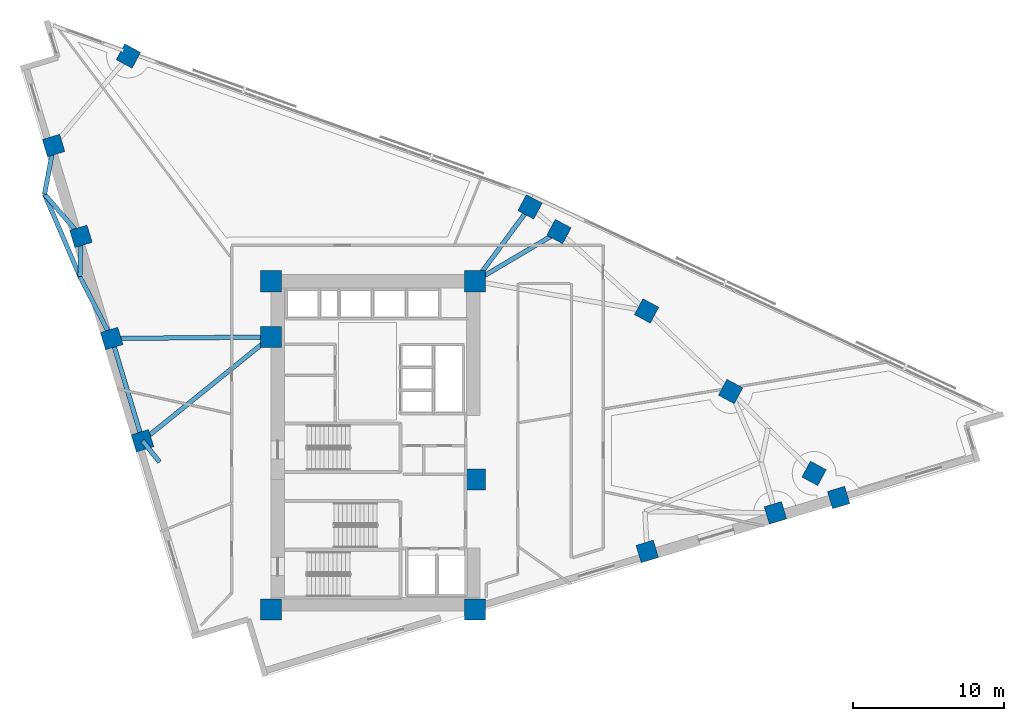
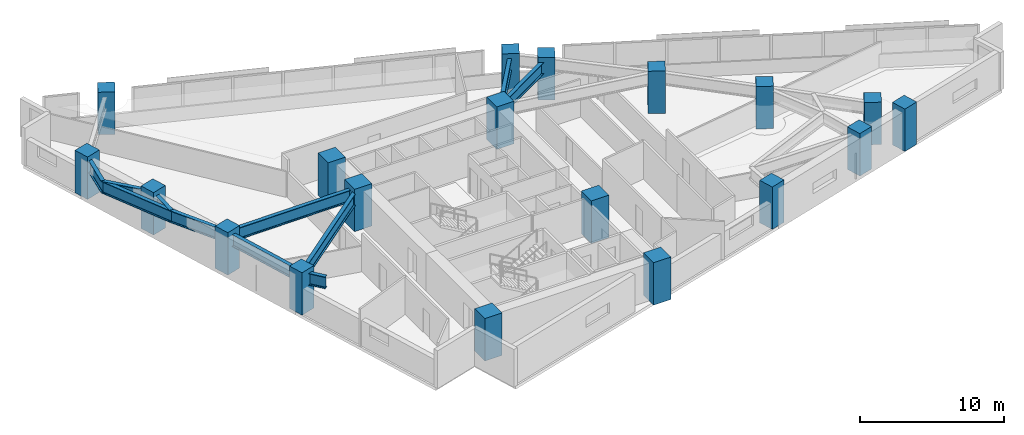
# One storey, part 1 of 14: 19 columns, 11 beams.
"""IFC4 building model written with IfcOpenShell, lengths in metres."""

import ifcopenshell
import ifcopenshell.guid

model = None  # the IFC model being written
_history = None  # IfcOwnerHistory: only IFC2X3 demands one
_inside = {}  # id of a spatial element -> (the spatial element, [elements in it])
_under = {}  # id of a project, library or spatial element -> (it, [spatial elements below it])
_declared = {}  # id of a project -> (the project, [libraries it declares])
_typed = {}  # id of a type object -> (the type object, [elements of that type])
_made_of = {}  # id of a material, layer set ... -> (it, [elements and type objects made of it])


def new_model(schema):
    """Start an empty IFC model of exactly this schema.

    Asked for "IFC4X3", IfcOpenShell would pick the latest addendum, in which some entities
    have other attributes; the version numbers below select the first issue.
    IFC2X3 requires an IfcOwnerHistory on every rooted entity: one is made here for all.
    """
    global model, _history
    if schema == "IFC4X3":
        model = ifcopenshell.file(schema_version=(4, 3, 0, 0))
    else:
        model = ifcopenshell.file(schema=schema)
    _inside.clear()
    _under.clear()
    _declared.clear()
    _typed.clear()
    _made_of.clear()
    _history = None
    if model.schema == "IFC2X3":
        org = make("IfcOrganization", Name="unknown")
        user = make(
            "IfcPersonAndOrganization",
            ThePerson=make("IfcPerson", FamilyName="unknown"),
            TheOrganization=org,
        )
        app = make(
            "IfcApplication",
            ApplicationDeveloper=org,
            Version="unknown",
            ApplicationFullName="unknown",
            ApplicationIdentifier="unknown",
        )
        _history = make(
            "IfcOwnerHistory",
            OwningUser=user,
            OwningApplication=app,
            ChangeAction="ADDED",
            CreationDate=0,
        )
    return model


def make(cls, **values):
    """One entity of the class cls with the attributes given. An attribute that is None is left unset."""
    return model.create_entity(
        cls, **{name: value for name, value in values.items() if value is not None}
    )


def rooted(cls, **values):
    """An entity with a GlobalId (a new one), such as an element, a storey or a relation."""
    return make(cls, GlobalId=ifcopenshell.guid.new(), OwnerHistory=_history, **values)


def si_unit(unit_type, name, prefix=None):
    """IfcSIUnit, for example si_unit("LENGTHUNIT", "METRE", prefix="MILLI")."""
    return make("IfcSIUnit", UnitType=unit_type, Prefix=prefix, Name=name)


def assignment(units):
    """IfcUnitAssignment: the units of a project."""
    return None if units is None else make("IfcUnitAssignment", Units=units)


def point(xyz):
    """IfcCartesianPoint."""
    return None if xyz is None else make("IfcCartesianPoint", Coordinates=xyz)


def direction(xyz):
    """IfcDirection."""
    return None if xyz is None else make("IfcDirection", DirectionRatios=xyz)


def frame(location, z_axis=None, x_axis=None):
    """IfcAxis2Placement3D, a coordinate frame: its origin and axes. An axis left out is left unset."""
    return make(
        "IfcAxis2Placement3D",
        Location=point(location),
        Axis=direction(z_axis),
        RefDirection=direction(x_axis),
    )


def frame_2d(location, x_axis=None):
    """IfcAxis2Placement2D, a coordinate frame in the plane: its origin and x axis."""
    return make(
        "IfcAxis2Placement2D", Location=point(location), RefDirection=direction(x_axis)
    )


def origin():
    """The frame at (0, 0, 0) with its axes left unset."""
    return frame((0.0, 0.0, 0.0))


def origin_2d():
    """The frame at (0, 0) in the plane with its x axis left unset."""
    return frame_2d((0.0, 0.0))


def place(relative_to, where):
    """IfcLocalPlacement: puts the frame where relative to a parent placement (None: the world)."""
    return make(
        "IfcLocalPlacement", PlacementRelTo=relative_to, RelativePlacement=where
    )


def context(
    kind, dimensions, precision=None, world=None, true_north=None, identifier=None
):
    """IfcGeometricRepresentationContext, for example the 3D "Model" context."""
    return make(
        "IfcGeometricRepresentationContext",
        ContextIdentifier=identifier,
        ContextType=kind,
        CoordinateSpaceDimension=dimensions,
        Precision=precision,
        WorldCoordinateSystem=world,
        TrueNorth=true_north,
    )


def subcontext(parent, identifier, kind, view, scale=None):
    """IfcGeometricRepresentationSubContext, for example "Body" below "Model"."""
    return make(
        "IfcGeometricRepresentationSubContext",
        ContextIdentifier=identifier,
        ContextType=kind,
        ParentContext=parent,
        TargetScale=scale,
        TargetView=view,
    )


def project(units=None, contexts=None):
    """IfcProject with its units and contexts."""
    return rooted(
        "IfcProject",
        Name="project",
        RepresentationContexts=contexts,
        UnitsInContext=assignment(units),
    )


def spatial(cls, under=None, at=None, **own):
    """A site, building, storey or space (cls), placed at a placement, below another one or the project."""
    s = rooted(cls, ObjectPlacement=at, **own)
    if under is not None:
        _under.setdefault(under.id(), (under, []))[1].append(s)
    return s


def profile(cls, at=None, kind="AREA", **sizes):
    """A parametric profile (cls). Its sizes go by their IFC names, for example OverallWidth=200.0."""
    return make(cls, ProfileType=kind, Position=at, **sizes)


def rectangle(**sizes):
    """IfcRectangleProfileDef."""
    return profile("IfcRectangleProfileDef", **sizes)


def i_section(**sizes):
    """IfcIShapeProfileDef."""
    return profile("IfcIShapeProfileDef", **sizes)


def extrude(swept, where, along, depth):
    """IfcExtrudedAreaSolid: the profile swept, set in the frame where, extruded along a direction by depth."""
    return make(
        "IfcExtrudedAreaSolid",
        SweptArea=swept,
        Position=where,
        ExtrudedDirection=direction(along),
        Depth=depth,
    )


def shape(context_of_items, identifier, shape_type, items):
    """IfcShapeRepresentation: the items that make up one representation, for example the "Body"."""
    return make(
        "IfcShapeRepresentation",
        ContextOfItems=context_of_items,
        RepresentationIdentifier=identifier,
        RepresentationType=shape_type,
        Items=items,
    )


def material(Name=None, Category=None):
    """IfcMaterial."""
    return make("IfcMaterial", Name=Name, Category=Category)


def material_profile(
    of_material, cross_section, Name=None, Category=None, Priority=None
):
    """IfcMaterialProfile: a cross section and its material."""
    return make(
        "IfcMaterialProfile",
        Name=Name,
        Material=of_material,
        Profile=cross_section,
        Priority=Priority,
        Category=Category,
    )


def profile_set(profiles, Name=None, composite=None):
    """IfcMaterialProfileSet."""
    return make(
        "IfcMaterialProfileSet",
        Name=Name,
        MaterialProfiles=profiles,
        CompositeProfile=composite,
    )


def made_of(thing, what):
    """Note that an element or type object is made of a material, layer set ...; save() writes the relation."""
    if what is not None:
        _made_of.setdefault(what.id(), (what, []))[1].append(thing)
    return thing


def type_object(cls, material=None, **own):
    """A type object (cls), such as IfcWallType, which elements share."""
    return made_of(rooted(cls, **own), material)


def element(
    cls,
    number,
    at=None,
    inside=None,
    cuts=None,
    type_object=None,
    material=None,
    context=None,
    identifier="Body",
    shape_type=None,
    held_by="IfcProductDefinitionShape",
    body=None,
    shapes=None,
    **own,
):
    """One element of the class cls, such as IfcWall. Its Tag is "e" and its number.

    at: its placement. inside: the storey or other place that contains it. cuts: it is an
    opening in that element (IfcRelVoidsElement). A single representation is given by context,
    identifier, shape_type and body (its items); several are given by shapes. held_by: the class
    of the entity that holds the representations. save() writes the other relations.
    """
    e = rooted(cls, Tag="e%d" % number, ObjectPlacement=at, **own)
    if body is not None:
        shapes = [shape(context, identifier, shape_type, body)]
    if shapes is not None:
        e.Representation = make(held_by, Representations=shapes)
    if inside is not None:
        _inside.setdefault(inside.id(), (inside, []))[1].append(e)
    if cuts is not None:
        rooted(
            "IfcRelVoidsElement", RelatingBuildingElement=cuts, RelatedOpeningElement=e
        )
    if type_object is not None:
        _typed.setdefault(type_object.id(), (type_object, []))[1].append(e)
    return made_of(e, material)


def aggregate(whole, parts):
    """IfcRelAggregates: a whole, such as a stair, and the parts it consists of."""
    return rooted("IfcRelAggregates", RelatingObject=whole, RelatedObjects=parts)


def save(model, path):
    """Write the relations noted so far, then the file.

    IfcRelAggregates (storeys below a building ...), IfcRelContainedInSpatialStructure (elements
    in a storey), IfcRelDefinesByType, IfcRelAssociatesMaterial and IfcRelDeclares: one each for
    every whole, place, type object, material and project.
    """
    for whole, parts in _under.values():
        aggregate(whole, parts)
    for where, things in _inside.values():
        rooted(
            "IfcRelContainedInSpatialStructure",
            RelatedElements=things,
            RelatingStructure=where,
        )
    for kind, things in _typed.values():
        rooted("IfcRelDefinesByType", RelatedObjects=things, RelatingType=kind)
    for what, things in _made_of.values():
        rooted("IfcRelAssociatesMaterial", RelatedObjects=things, RelatingMaterial=what)
    for by, libraries in _declared.values():
        rooted("IfcRelDeclares", RelatingContext=by, RelatedDefinitions=libraries)
    model.write(path)


model = new_model("IFC4")

# Units and contexts
model_context = context("Model", 3, precision=1e-05, world=origin(), true_north=direction((0.0, 1.0)))
body_context = subcontext(model_context, "Body", "Model", "MODEL_VIEW")
ifc_project = project(units=[si_unit("LENGTHUNIT", "METRE"), si_unit("AREAUNIT", "SQUARE_METRE"), si_unit("VOLUMEUNIT", "CUBIC_METRE"), si_unit("PLANEANGLEUNIT", "RADIAN"), si_unit("MASSUNIT", "GRAM", prefix="KILO")], contexts=[model_context])

# Site, building, storey
site_placement = place(None, origin())
site = spatial("IfcSite", under=ifc_project, at=site_placement, CompositionType="ELEMENT")
building_placement = place(site_placement, origin())
building = spatial("IfcBuilding", under=site, at=building_placement, Name="Narakoshi Arena Tower", CompositionType="ELEMENT")
storey_placement = place(building_placement, frame((0.0, 0.0, 161.10009765625)))
storey = spatial("IfcBuildingStorey", under=building, at=storey_placement, Name="L43", CompositionType="ELEMENT", Elevation=161.10009765625)

# Columns
ifc_material_1 = material(Name="Concrete C60/75", Category="concrete")
ifc_material_profile_1 = material_profile(ifc_material_1, rectangle(XDim=1.199951171875, YDim=1.199951171875, at=origin_2d()), Name="RC1200x1200")
ifc_profile_set_1 = profile_set([ifc_material_profile_1], Name="Concrete C60/75")
column_type_1 = type_object("IfcColumnType", Name="COL-RC1200", PredefinedType="COLUMN", material=ifc_profile_set_1)
for number, where, z_axis, x_axis, name in (
    (1, (96.984619140625, 38.565185546875, 0.0), (0.0, 0.0, 1.0), (0.957571360805, 0.288196268134, 0.0), "L43 Tower Perimeter Column TC02"),
    (2, (105.49365234375, 41.126220703125, 0.0), (0.0, 0.0, 1.0), (0.957571360805, 0.288196268134, 0.0), "L43 Tower Perimeter Column TC03"),
    (3, (109.692626953125, 42.13916015625, 0.0), (0.0, 0.0, 1.0), (0.957571360805, 0.288196268134, 0.0), "L43 Tower Perimeter Column TC04"),
    (4, (108.061279296875, 43.74560546875, 0.0), (0.0, 0.0, 1.0), (0.473319667185, 0.880890738205, 0.0), "L43 Tower Perimeter Column TC05"),
    (5, (102.522216796875, 49.17919921875, 0.0), (0.0, 0.0, 1.0), (0.473319667185, 0.880890738205, 0.0), "L43 Tower Perimeter Column TC06"),
    (6, (96.9443359375, 54.528076171875, 0.0), (0.0, 0.0, 1.0), (0.473319667185, 0.880890738205, 0.0), "L43 Tower Perimeter Column TC07"),
    (7, (91.12646484375, 59.798095703125, 0.0), (0.0, 0.0, 1.0), (0.473319667185, 0.880890738205, 0.0), "L43 Tower Perimeter Column TC08"),
    (8, (89.206787109375, 61.437744140625, 0.0), (0.0, 0.0, 1.0), (0.473319667185, 0.880890738205, 0.0), "L43 Tower Perimeter Column TC09"),
    (9, (62.545166015625, 71.4501953125, 0.0), (0.0, 0.0, 1.0), (0.473319667185, 0.880890738205, 0.0), "L43 Tower Perimeter Column TC11"),
    (10, (57.580810546875, 65.51220703125, 0.0), (0.0, 0.0, 1.0), (-0.288196268134, 0.957571360805, 0.0), "L43 Tower Perimeter Column TC13"),
    (11, (59.39599609375, 59.481201171875, 0.0), (0.0, 0.0, 1.0), (-0.288196268134, 0.957571360805, 0.0), "L43 Tower Perimeter Column TC14"),
    (12, (61.43798828125, 52.6962890625, 0.0), (0.0, 0.0, 1.0), (-0.288196268134, 0.957571360805, 0.0), "L43 Tower Perimeter Column TC15"),
    (13, (63.47998046875, 45.91162109375, 0.0), (0.0, 0.0, 1.0), (-0.288196268134, 0.957571360805, 0.0), "L43 Tower Perimeter Column TC16"),
):
    element("IfcColumn", number, at=place(storey_placement, frame(where, z_axis=z_axis, x_axis=x_axis)), inside=storey, type_object=column_type_1, Name=name, PredefinedType="COLUMN", context=body_context, shape_type="SweptSolid", body=[
        extrude(rectangle(XDim=1.199951171875, YDim=1.199951171875, at=origin_2d()), origin(), (0.0, 0.0, 1.0), 3.599853515625),
    ])
ifc_material_profile_2 = material_profile(ifc_material_1, rectangle(XDim=1.39990234375, YDim=1.39990234375, at=origin_2d()), Name="RC1400x1400")
ifc_profile_set_2 = profile_set([ifc_material_profile_2], Name="Concrete C60/75")
column_type_2 = type_object("IfcColumnType", Name="COL-RC1400", PredefinedType="COLUMN", material=ifc_profile_set_2)
for number, where, z_axis, x_axis, name in (
    (14, (72.0, 34.699951171875, 0.0), (0.0, 0.0, 1.0), (1.0, 0.0, 0.0), "L43 Core Structural Column CC1"),
    (15, (85.550048828125, 34.699951171875, 0.0), (0.0, 0.0, 1.0), (1.0, 0.0, 0.0), "L43 Core Structural Column CC2"),
    (16, (85.550048828125, 43.35009765625, 0.0), (0.0, 0.0, 1.0), (1.0, 0.0, 0.0), "L43 Core Structural Column CC3"),
    (17, (72.0, 52.800048828125, 0.0), (0.0, 0.0, 1.0), (1.0, 0.0, 0.0), "L43 Core Structural Column CC4"),
    (18, (72.0, 56.5, 0.0), (0.0, 0.0, 1.0), (1.0, 0.0, 0.0), "L43 Core Structural Column CC5"),
    (19, (85.550048828125, 56.5, 0.0), (0.0, 0.0, 1.0), (1.0, 0.0, 0.0), "L43 Core Structural Column CC6"),
):
    element("IfcColumn", number, at=place(storey_placement, frame(where, z_axis=z_axis, x_axis=x_axis)), inside=storey, type_object=column_type_2, Name=name, PredefinedType="COLUMN", context=body_context, shape_type="SweptSolid", body=[
        extrude(rectangle(XDim=1.39990234375, YDim=1.39990234375, at=origin_2d()), origin(), (0.0, 0.0, 1.0), 3.599853515625),
    ])

# Beams
ifc_material_2 = material(Name="Structural steel S460ML", Category="steel")
ifc_material_profile_3 = material_profile(ifc_material_2, i_section(OverallWidth=0.302001953125, OverallDepth=1.008056640625, WebThickness=0.02099609375, FlangeThickness=0.0400390625, FilletRadius=0.030029296875, at=origin_2d()), Name="HE1000M")
ifc_profile_set_3 = profile_set([ifc_material_profile_3], Name="Structural steel S460ML")
beam_type = type_object("IfcBeamType", Name="BM-XFER-1000", PredefinedType="BEAM", material=ifc_profile_set_3)
beam_1_placement = place(storey_placement, frame((85.550048828125, 56.5, 2.69580078125), z_axis=(0.860727657757, 0.509065712037, 0.0), x_axis=(-0.509065712037, 0.860727657757, 0.0)))
element("IfcBeam", 20, at=beam_1_placement, inside=storey, type_object=beam_type, Name="L43 Lower Transfer Radial Girder 07", PredefinedType="BEAM", context=body_context, shape_type="SweptSolid", body=[
    extrude(i_section(OverallWidth=0.302001953125, OverallDepth=1.008056640625, WebThickness=0.02099609375, FlangeThickness=0.0400390625, FilletRadius=0.030029296875, at=origin_2d()), origin(), (0.0, 0.0, 1.0), 6.478759765625),
])
beam_2_placement = place(storey_placement, frame((85.550048828125, 56.5, 2.69580078125), z_axis=(0.595138224279, 0.803623353321, 0.0), x_axis=(-0.803623353321, 0.595138224279, 0.0)))
element("IfcBeam", 21, at=beam_2_placement, inside=storey, type_object=beam_type, Name="L43 Lower Transfer Radial Girder 08", PredefinedType="BEAM", context=body_context, shape_type="SweptSolid", body=[
    extrude(i_section(OverallWidth=0.302001953125, OverallDepth=1.008056640625, WebThickness=0.02099609375, FlangeThickness=0.0400390625, FilletRadius=0.030029296875, at=origin_2d()), origin(), (0.0, 0.0, 1.0), 6.144287109375),
])
beam_3_placement = place(storey_placement, frame((72.0, 52.800048828125, 2.69580078125), z_axis=(-0.999951749341, -0.009823389891, 0.0), x_axis=(0.009823389891, -0.999951749341, 0.0)))
element("IfcBeam", 22, at=beam_3_placement, inside=storey, type_object=beam_type, Name="L43 Lower Transfer Radial Girder 12", PredefinedType="BEAM", context=body_context, shape_type="SweptSolid", body=[
    extrude(i_section(OverallWidth=0.302001953125, OverallDepth=1.008056640625, WebThickness=0.02099609375, FlangeThickness=0.0400390625, FilletRadius=0.030029296875, at=origin_2d()), origin(), (0.0, 0.0, 1.0), 10.5625),
])
beam_4_placement = place(storey_placement, frame((72.0, 52.800048828125, 2.69580078125), z_axis=(-0.777634431076, -0.628716702184, 0.0), x_axis=(0.628716702184, -0.777634431076, 0.0)))
element("IfcBeam", 23, at=beam_4_placement, inside=storey, type_object=beam_type, Name="L43 Lower Transfer Radial Girder 13", PredefinedType="BEAM", context=body_context, shape_type="SweptSolid", body=[
    extrude(i_section(OverallWidth=0.302001953125, OverallDepth=1.008056640625, WebThickness=0.02099609375, FlangeThickness=0.0400390625, FilletRadius=0.030029296875, at=origin_2d()), origin(), (0.0, 0.0, 1.0), 10.956298828125),
])
beam_5_placement = place(storey_placement, frame((57.580810546875, 65.51220703125, 2.69580078125), z_axis=(-0.183970395947, -0.982931784721, 0.0), x_axis=(0.982931784721, -0.183970395947, 0.0)))
element("IfcBeam", 24, at=beam_5_placement, inside=storey, type_object=beam_type, Name="L43 Block-Turn Transfer Node Girder 08-1", PredefinedType="BEAM", context=body_context, shape_type="SweptSolid", body=[
    extrude(i_section(OverallWidth=0.302001953125, OverallDepth=1.008056640625, WebThickness=0.02099609375, FlangeThickness=0.0400390625, FilletRadius=0.030029296875, at=origin_2d()), origin(), (0.0, 0.0, 1.0), 3.289794921875),
])
beam_6_placement = place(storey_placement, frame((59.39599609375, 59.481201171875, 2.69580078125), z_axis=(-0.654317232772, 0.756220178848, 0.0), x_axis=(-0.756220178848, -0.654317232772, 0.0)))
element("IfcBeam", 25, at=beam_6_placement, inside=storey, type_object=beam_type, Name="L43 Block-Turn Transfer Node Girder 08-2", PredefinedType="BEAM", context=body_context, shape_type="SweptSolid", body=[
    extrude(i_section(OverallWidth=0.302001953125, OverallDepth=1.008056640625, WebThickness=0.02099609375, FlangeThickness=0.0400390625, FilletRadius=0.030029296875, at=origin_2d()), origin(), (0.0, 0.0, 1.0), 3.69921875),
])
beam_7_placement = place(storey_placement, frame((59.39599609375, 59.481201171875, 2.69580078125), z_axis=(-0.026105052287, -0.999659205052, 0.0), x_axis=(0.999659205052, -0.026105052287, 0.0)))
element("IfcBeam", 26, at=beam_7_placement, inside=storey, type_object=beam_type, Name="L43 Block-Turn Transfer Node Girder 09-1", PredefinedType="BEAM", context=body_context, shape_type="SweptSolid", body=[
    extrude(i_section(OverallWidth=0.302001953125, OverallDepth=1.008056640625, WebThickness=0.02099609375, FlangeThickness=0.0400390625, FilletRadius=0.030029296875, at=origin_2d()), origin(), (0.0, 0.0, 1.0), 2.6748046875),
])
beam_8_placement = place(storey_placement, frame((61.43798828125, 52.6962890625, 2.69580078125), z_axis=(-0.456927824718, 0.889503773459, 0.0), x_axis=(-0.889503773459, -0.456927824718, 0.0)))
element("IfcBeam", 27, at=beam_8_placement, inside=storey, type_object=beam_type, Name="L43 Block-Turn Transfer Node Girder 09-2", PredefinedType="BEAM", context=body_context, shape_type="SweptSolid", body=[
    extrude(i_section(OverallWidth=0.302001953125, OverallDepth=1.008056640625, WebThickness=0.02099609375, FlangeThickness=0.0400390625, FilletRadius=0.030029296875, at=origin_2d()), origin(), (0.0, 0.0, 1.0), 4.621826171875),
])
beam_9_placement = place(storey_placement, frame((61.43798828125, 52.6962890625, 2.69580078125), z_axis=(0.288201302245, -0.957569845695, 0.0), x_axis=(0.957569845695, 0.288201302245, 0.0)))
element("IfcBeam", 28, at=beam_9_placement, inside=storey, type_object=beam_type, Name="L43 Block-Turn Transfer Chord Girder 10", PredefinedType="BEAM", context=body_context, shape_type="SweptSolid", body=[
    extrude(i_section(OverallWidth=0.302001953125, OverallDepth=1.008056640625, WebThickness=0.02099609375, FlangeThickness=0.0400390625, FilletRadius=0.030029296875, at=origin_2d()), origin(), (0.0, 0.0, 1.0), 7.085205078125),
])
beam_10_placement = place(storey_placement, frame((63.47998046875, 45.91162109375, 2.69580078125), z_axis=(0.625876668486, -0.779922044723, 0.0), x_axis=(0.779922044723, 0.625876668486, 0.0)))
element("IfcBeam", 29, at=beam_10_placement, inside=storey, type_object=beam_type, Name="L43 Block-Turn Transfer Node Girder 11-1", PredefinedType="BEAM", context=body_context, shape_type="SweptSolid", body=[
    extrude(i_section(OverallWidth=0.302001953125, OverallDepth=1.008056640625, WebThickness=0.02099609375, FlangeThickness=0.0400390625, FilletRadius=0.030029296875, at=origin_2d()), origin(), (0.0, 0.0, 1.0), 1.81298828125),
])
beam_11_placement = place(storey_placement, frame((56.9755859375, 62.278564453125, 2.69580078125), z_axis=(0.394740539552, -0.918792635165, 0.0), x_axis=(0.918792635165, 0.394740539552, 0.0)))
element("IfcBeam", 30, at=beam_11_placement, inside=storey, type_object=beam_type, Name="L43 Upper-Block Transfer Ring Girder 08", PredefinedType="BEAM", context=body_context, shape_type="SweptSolid", body=[
    extrude(i_section(OverallWidth=0.302001953125, OverallDepth=1.008056640625, WebThickness=0.02099609375, FlangeThickness=0.0400390625, FilletRadius=0.030029296875, at=origin_2d()), origin(), (0.0, 0.0, 1.0), 5.954833984375),
])

save(model, "model.ifc")
